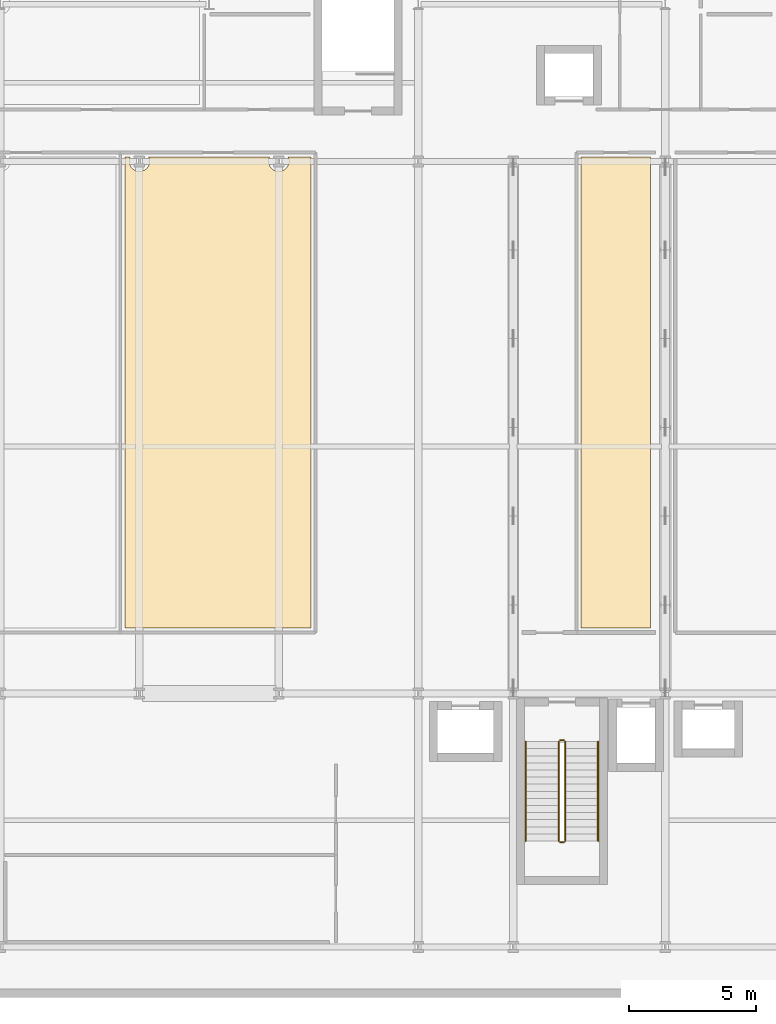
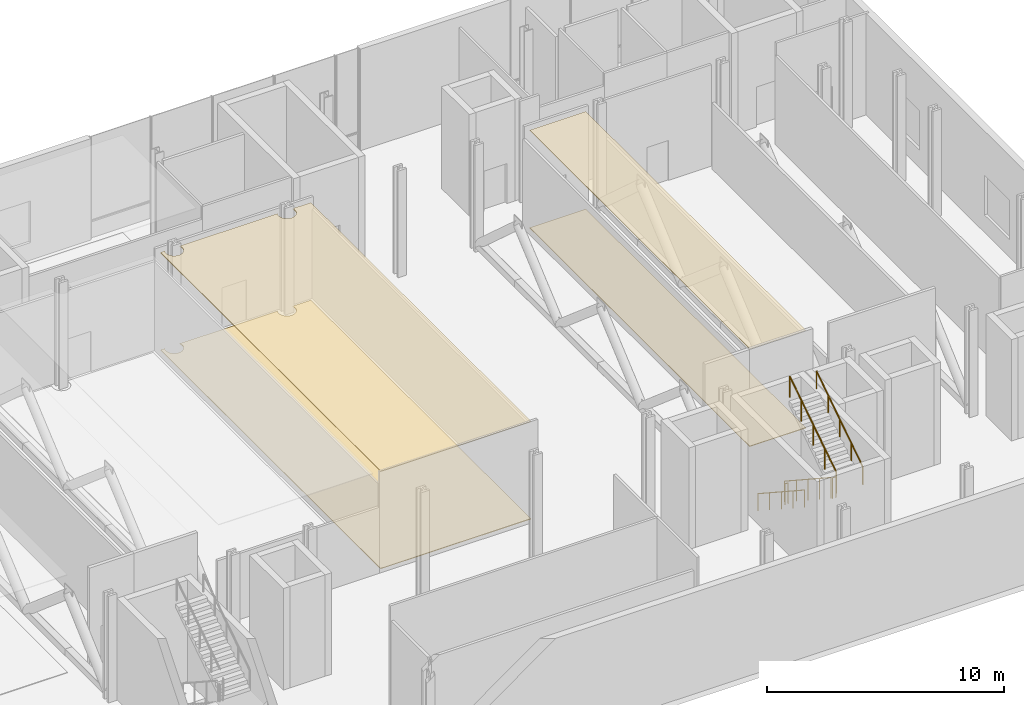
# One storey, part 16 of 17: 6 railings, 4 coverings.
"""IFC4 building model written with IfcOpenShell, lengths in metres."""

from ifc_helpers import new_model, si_unit, direction, frame, origin, origin_2d, place, context, subcontext, project, spatial, polyline, circle, outline, extrude, material, layer, layer_set, type_object, element, save


model = new_model("IFC4")

# Units and contexts
model_context = context("Model", 3, precision=1e-05, world=origin(), true_north=direction((0.0, 1.0)))
body_context = subcontext(model_context, "Body", "Model", "MODEL_VIEW")
ifc_project = project(units=[si_unit("LENGTHUNIT", "METRE"), si_unit("AREAUNIT", "SQUARE_METRE"), si_unit("VOLUMEUNIT", "CUBIC_METRE"), si_unit("PLANEANGLEUNIT", "RADIAN"), si_unit("MASSUNIT", "GRAM", prefix="KILO")], contexts=[model_context])

# Site, building, storey
site_placement = place(None, origin())
site = spatial("IfcSite", under=ifc_project, at=site_placement, CompositionType="ELEMENT")
building_placement = place(site_placement, origin())
building = spatial("IfcBuilding", under=site, at=building_placement, Name="Brevholm Reach", CompositionType="ELEMENT")
storey_placement = place(building_placement, frame((0.0, 0.0, 22.5)))
storey = spatial("IfcBuildingStorey", under=building, at=storey_placement, Name="L05", CompositionType="ELEMENT", Elevation=22.5)

# Coverings
ifc_material_1 = material(Name="Perforated Mineral-Fibre Class-A Acoustic Suspended Ceiling", Category="gypsum")
ifc_layer_1 = layer(ifc_material_1, 0.044921875)
ifc_layer_set_1 = layer_set([ifc_layer_1], Name="Perforated Mineral-Fibre Class-A Acoustic Suspended Ceiling")
covering_type_1 = type_object("IfcCoveringType", Name="COV-CLG-AC", PredefinedType="CEILING", material=ifc_layer_set_1)
covering_1_placement = place(storey_placement, frame((0.0, 0.0, 5.014892578125)))
element("IfcCovering", 1, at=covering_1_placement, inside=storey, type_object=covering_type_1, Name="L05 Suspended Ceiling L05-39", PredefinedType="CEILING", context=body_context, shape_type="SweptSolid", body=[
    extrude(outline(polyline([(34.01611328125, 12.583984375), (26.68408203125, 12.583984375), (26.68408203125, 31.166015625), (26.88671875, 31.166015625), (26.88037109375, 31.153076171875), (26.8671875, 31.1162109375), (26.857666015625, 31.077880859375), (26.851806640625, 31.039306640625), (26.85009765625, 31.0), (26.851806640625, 30.960693359375), (26.857666015625, 30.922119140625), (26.8671875, 30.8837890625), (26.88037109375, 30.846923828125), (26.897216796875, 30.811279296875), (26.91748046875, 30.77783203125), (26.94091796875, 30.74609375), (26.96728515625, 30.71728515625), (26.99609375, 30.69091796875), (27.02783203125, 30.66748046875), (27.061279296875, 30.647216796875), (27.096923828125, 30.63037109375), (27.1337890625, 30.6171875), (27.172119140625, 30.607666015625), (27.210693359375, 30.601806640625), (27.25, 30.60009765625), (27.289306640625, 30.601806640625), (27.327880859375, 30.607666015625), (27.3662109375, 30.6171875), (27.403076171875, 30.63037109375), (27.438720703125, 30.647216796875), (27.47216796875, 30.66748046875), (27.50390625, 30.69091796875), (27.53271484375, 30.71728515625), (27.55908203125, 30.74609375), (27.58251953125, 30.77783203125), (27.602783203125, 30.811279296875), (27.61962890625, 30.846923828125), (27.6328125, 30.8837890625), (27.642333984375, 30.922119140625), (27.648193359375, 30.960693359375), (27.64990234375, 31.0), (27.648193359375, 31.039306640625), (27.642333984375, 31.077880859375), (27.6328125, 31.1162109375), (27.61962890625, 31.153076171875), (27.61328125, 31.166015625), (32.38671875, 31.166015625), (32.38037109375, 31.153076171875), (32.3671875, 31.1162109375), (32.357666015625, 31.077880859375), (32.351806640625, 31.039306640625), (32.35009765625, 31.0), (32.351806640625, 30.960693359375), (32.357666015625, 30.922119140625), (32.3671875, 30.8837890625), (32.38037109375, 30.846923828125), (32.397216796875, 30.811279296875), (32.41748046875, 30.77783203125), (32.44091796875, 30.74609375), (32.46728515625, 30.71728515625), (32.49609375, 30.69091796875), (32.52783203125, 30.66748046875), (32.561279296875, 30.647216796875), (32.596923828125, 30.63037109375), (32.6337890625, 30.6171875), (32.672119140625, 30.607666015625), (32.710693359375, 30.601806640625), (32.75, 30.60009765625), (32.789306640625, 30.601806640625), (32.827880859375, 30.607666015625), (32.8662109375, 30.6171875), (32.903076171875, 30.63037109375), (32.938720703125, 30.647216796875), (32.97216796875, 30.66748046875), (33.00390625, 30.69091796875), (33.03271484375, 30.71728515625), (33.05908203125, 30.74609375), (33.08251953125, 30.77783203125), (33.102783203125, 30.811279296875), (33.11962890625, 30.846923828125), (33.1328125, 30.8837890625), (33.142333984375, 30.922119140625), (33.148193359375, 30.960693359375), (33.14990234375, 31.0), (33.148193359375, 31.039306640625), (33.142333984375, 31.077880859375), (33.1328125, 31.1162109375), (33.11962890625, 31.153076171875), (33.11328125, 31.166015625), (34.01611328125, 31.166015625), (34.01611328125, 12.583984375)])), origin(), (0.0, 0.0, 1.0), 0.045166015625),
])
ifc_material_2 = material(Name="Moisture-Resistant Skimmed Gypsum Plasterboard Ceiling", Category="gypsum")
ifc_layer_2 = layer(ifc_material_2, 0.030029296875)
ifc_layer_set_2 = layer_set([ifc_layer_2], Name="Moisture-Resistant Skimmed Gypsum Plasterboard Ceiling")
covering_type_2 = type_object("IfcCoveringType", Name="COV-CLG-GYP", PredefinedType="CEILING", material=ifc_layer_set_2)
covering_2_placement = place(storey_placement, frame((0.0, 0.0, 5.030029296875)))
element("IfcCovering", 2, at=covering_2_placement, inside=storey, type_object=covering_type_2, Name="L05 Suspended Ceiling L05-35", PredefinedType="CEILING", context=body_context, shape_type="SweptSolid", body=[
    extrude(outline(polyline([(47.419921875, 12.583984375), (44.68408203125, 12.583984375), (44.68408203125, 31.166015625), (47.419921875, 31.166015625), (47.419921875, 12.583984375)])), origin(), (0.0, 0.0, 1.0), 0.030029296875),
])
ifc_material_3 = material(Name="Honed Portland-Aggregate Resin Terrazzo Flooring", Category="concrete")
ifc_layer_3 = layer(ifc_material_3, 0.031982421875)
ifc_layer_set_3 = layer_set([ifc_layer_3], Name="Honed Portland-Aggregate Resin Terrazzo Flooring")
covering_type_3 = type_object("IfcCoveringType", Name="COV-FLR-TRZ", PredefinedType="FLOORING", material=ifc_layer_set_3)
covering_3_placement = place(storey_placement, origin())
element("IfcCovering", 3, at=covering_3_placement, inside=storey, type_object=covering_type_3, Name="L05 Floor Finish L05-35", PredefinedType="FLOORING", context=body_context, shape_type="SweptSolid", body=[
    extrude(outline(polyline([(47.419921875, 12.583984375), (44.68408203125, 12.583984375), (44.68408203125, 31.166015625), (47.419921875, 31.166015625), (47.419921875, 12.583984375)])), origin(), (0.0, 0.0, 1.0), 0.031982421875),
])
covering_4_placement = place(storey_placement, origin())
element("IfcCovering", 4, at=covering_4_placement, inside=storey, type_object=covering_type_3, Name="L05 Floor Finish L05-39", PredefinedType="FLOORING", context=body_context, shape_type="SweptSolid", body=[
    extrude(outline(polyline([(34.01611328125, 12.583984375), (26.68408203125, 12.583984375), (26.68408203125, 31.166015625), (26.88671875, 31.166015625), (26.88037109375, 31.153076171875), (26.8671875, 31.1162109375), (26.857666015625, 31.077880859375), (26.851806640625, 31.039306640625), (26.85009765625, 31.0), (26.851806640625, 30.960693359375), (26.857666015625, 30.922119140625), (26.8671875, 30.8837890625), (26.88037109375, 30.846923828125), (26.897216796875, 30.811279296875), (26.91748046875, 30.77783203125), (26.94091796875, 30.74609375), (26.96728515625, 30.71728515625), (26.99609375, 30.69091796875), (27.02783203125, 30.66748046875), (27.061279296875, 30.647216796875), (27.096923828125, 30.63037109375), (27.1337890625, 30.6171875), (27.172119140625, 30.607666015625), (27.210693359375, 30.601806640625), (27.25, 30.60009765625), (27.289306640625, 30.601806640625), (27.327880859375, 30.607666015625), (27.3662109375, 30.6171875), (27.403076171875, 30.63037109375), (27.438720703125, 30.647216796875), (27.47216796875, 30.66748046875), (27.50390625, 30.69091796875), (27.53271484375, 30.71728515625), (27.55908203125, 30.74609375), (27.58251953125, 30.77783203125), (27.602783203125, 30.811279296875), (27.61962890625, 30.846923828125), (27.6328125, 30.8837890625), (27.642333984375, 30.922119140625), (27.648193359375, 30.960693359375), (27.64990234375, 31.0), (27.648193359375, 31.039306640625), (27.642333984375, 31.077880859375), (27.6328125, 31.1162109375), (27.61962890625, 31.153076171875), (27.61328125, 31.166015625), (32.38671875, 31.166015625), (32.38037109375, 31.153076171875), (32.3671875, 31.1162109375), (32.357666015625, 31.077880859375), (32.351806640625, 31.039306640625), (32.35009765625, 31.0), (32.351806640625, 30.960693359375), (32.357666015625, 30.922119140625), (32.3671875, 30.8837890625), (32.38037109375, 30.846923828125), (32.397216796875, 30.811279296875), (32.41748046875, 30.77783203125), (32.44091796875, 30.74609375), (32.46728515625, 30.71728515625), (32.49609375, 30.69091796875), (32.52783203125, 30.66748046875), (32.561279296875, 30.647216796875), (32.596923828125, 30.63037109375), (32.6337890625, 30.6171875), (32.672119140625, 30.607666015625), (32.710693359375, 30.601806640625), (32.75, 30.60009765625), (32.789306640625, 30.601806640625), (32.827880859375, 30.607666015625), (32.8662109375, 30.6171875), (32.903076171875, 30.63037109375), (32.938720703125, 30.647216796875), (32.97216796875, 30.66748046875), (33.00390625, 30.69091796875), (33.03271484375, 30.71728515625), (33.05908203125, 30.74609375), (33.08251953125, 30.77783203125), (33.102783203125, 30.811279296875), (33.11962890625, 30.846923828125), (33.1328125, 30.8837890625), (33.142333984375, 30.922119140625), (33.148193359375, 30.960693359375), (33.14990234375, 31.0), (33.148193359375, 31.039306640625), (33.142333984375, 31.077880859375), (33.1328125, 31.1162109375), (33.11962890625, 31.153076171875), (33.11328125, 31.166015625), (34.01611328125, 31.166015625), (34.01611328125, 12.583984375)])), origin(), (0.0, 0.0, 1.0), 0.031982421875),
])

# Railings
ifc_material_4 = material(Name="Brushed Stainless Steel EN 1.4401 Continuous Handrail", Category="steel")
railing_type_1 = type_object("IfcRailingType", Name="RAL-HND-950", PredefinedType="HANDRAIL", material=ifc_material_4)
railing_1_placement = place(storey_placement, frame((42.5, 8.10009765625, 0.183349609375)))
element("IfcRailing", 5, at=railing_1_placement, inside=storey, type_object=railing_type_1, Name="L05 ST-2 stair handrail 1", PredefinedType="HANDRAIL", context=body_context, shape_type="SweptSolid", body=[
    extrude(circle(Radius=0.02392578125, at=origin_2d()), frame((0.0, 0.0, 0.8857421875), z_axis=(0.0, -0.836630751959, 0.54776727255), x_axis=(1.0, 0.0, 0.0)), (0.0, 0.0, 1.0), 4.685546875),
    extrude(circle(Radius=0.02099609375, at=origin_2d()), origin(), (0.0, 0.0, 1.0), 0.86181640625),
    extrude(circle(Radius=0.02099609375, at=origin_2d()), frame((0.0, -0.97998046875, 0.6416015625)), (0.0, 0.0, 1.0), 0.86181640625),
    extrude(circle(Radius=0.02099609375, at=origin_2d()), frame((0.0, -1.9599609375, 1.283203125)), (0.0, 0.0, 1.0), 0.86181640625),
    extrude(circle(Radius=0.02099609375, at=origin_2d()), frame((0.0, -2.940185546875, 1.925048828125)), (0.0, 0.0, 1.0), 0.86181640625),
    extrude(circle(Radius=0.02099609375, at=origin_2d()), frame((0.0, -3.920166015625, 2.566650390625)), (0.0, 0.0, 1.0), 0.86181640625),
])
railing_2_placement = place(storey_placement, frame((45.35009765625, 4.179931640625, 2.933349609375)))
element("IfcRailing", 6, at=railing_2_placement, inside=storey, type_object=railing_type_1, Name="L05 ST-2 stair handrail 2", PredefinedType="HANDRAIL", context=body_context, shape_type="SweptSolid", body=[
    extrude(circle(Radius=0.02392578125, at=origin_2d()), frame((0.0, 0.0, 0.8857421875), z_axis=(0.0, 0.836630751959, 0.54776727255), x_axis=(-1.0, 0.0, 0.0)), (0.0, 0.0, 1.0), 4.685546875),
    extrude(circle(Radius=0.02099609375, at=origin_2d()), origin(), (0.0, 0.0, 1.0), 0.86181640625),
    extrude(circle(Radius=0.02099609375, at=origin_2d()), frame((0.0, 0.97998046875, 0.6416015625)), (0.0, 0.0, 1.0), 0.86181640625),
    extrude(circle(Radius=0.02099609375, at=origin_2d()), frame((0.0, 1.9599609375, 1.283203125)), (0.0, 0.0, 1.0), 0.86181640625),
    extrude(circle(Radius=0.02099609375, at=origin_2d()), frame((0.0, 2.940185546875, 1.925048828125)), (0.0, 0.0, 1.0), 0.86181640625),
    extrude(circle(Radius=0.02099609375, at=origin_2d()), frame((0.0, 3.920166015625, 2.566650390625)), (0.0, 0.0, 1.0), 0.86181640625),
])
ifc_material_5 = material(Name="Painted Tubular Galvanised Steel S275JR Stair Guard", Category="steel")
railing_type_2 = type_object("IfcRailingType", Name="RAL-STG-1120", PredefinedType="BALUSTRADE", material=ifc_material_5)
railing_3_placement = place(storey_placement, frame((43.800048828125, 8.10009765625, 0.183349609375)))
element("IfcRailing", 7, at=railing_3_placement, inside=storey, type_object=railing_type_2, Name="L05 ST-2 stair guard 1", PredefinedType="BALUSTRADE", context=body_context, shape_type="SweptSolid", body=[
    extrude(circle(Radius=0.02392578125, at=origin_2d()), frame((0.0, 0.0, 1.076171875), z_axis=(0.0, -0.836630751959, 0.54776727255), x_axis=(1.0, 0.0, 0.0)), (0.0, 0.0, 1.0), 4.685546875),
    extrude(circle(Radius=0.02099609375, at=origin_2d()), origin(), (0.0, 0.0, 1.0), 1.052001953125),
    extrude(circle(Radius=0.02099609375, at=origin_2d()), frame((0.0, -0.97998046875, 0.6416015625)), (0.0, 0.0, 1.0), 1.052001953125),
    extrude(circle(Radius=0.02099609375, at=origin_2d()), frame((0.0, -1.9599609375, 1.283203125)), (0.0, 0.0, 1.0), 1.052001953125),
    extrude(circle(Radius=0.02099609375, at=origin_2d()), frame((0.0, -2.940185546875, 1.925048828125)), (0.0, 0.0, 1.0), 1.052001953125),
    extrude(circle(Radius=0.02099609375, at=origin_2d()), frame((0.0, -3.920166015625, 2.566650390625)), (0.0, 0.0, 1.0), 1.052001953125),
])
railing_4_placement = place(storey_placement, frame((43.85009765625, 4.1298828125, 2.75)))
element("IfcRailing", 8, at=railing_4_placement, inside=storey, type_object=railing_type_2, Name="L05 ST-2 stair guard 2", PredefinedType="BALUSTRADE", context=body_context, shape_type="SweptSolid", body=[
    extrude(circle(Radius=0.02392578125, at=origin_2d()), frame((0.0, 0.0, 1.076171875), z_axis=(1.0, 0.0, 0.0), x_axis=(0.0, 1.0, 0.0)), (0.0, 0.0, 1.0), 0.14990234375),
    extrude(circle(Radius=0.02099609375, at=origin_2d()), origin(), (0.0, 0.0, 1.0), 1.052001953125),
    extrude(circle(Radius=0.02099609375, at=origin_2d()), frame((0.14990234375, 0.0, 0.0)), (0.0, 0.0, 1.0), 1.052001953125),
])
railing_5_placement = place(storey_placement, frame((44.050048828125, 4.179931640625, 2.933349609375)))
element("IfcRailing", 9, at=railing_5_placement, inside=storey, type_object=railing_type_2, Name="L05 ST-2 stair guard 3", PredefinedType="BALUSTRADE", context=body_context, shape_type="SweptSolid", body=[
    extrude(circle(Radius=0.02392578125, at=origin_2d()), frame((0.0, 0.0, 1.076171875), z_axis=(0.0, 0.836630751959, 0.54776727255), x_axis=(-1.0, 0.0, 0.0)), (0.0, 0.0, 1.0), 4.685546875),
    extrude(circle(Radius=0.02099609375, at=origin_2d()), origin(), (0.0, 0.0, 1.0), 1.052001953125),
    extrude(circle(Radius=0.02099609375, at=origin_2d()), frame((0.0, 0.97998046875, 0.6416015625)), (0.0, 0.0, 1.0), 1.052001953125),
    extrude(circle(Radius=0.02099609375, at=origin_2d()), frame((0.0, 1.9599609375, 1.283203125)), (0.0, 0.0, 1.0), 1.052001953125),
    extrude(circle(Radius=0.02099609375, at=origin_2d()), frame((0.0, 2.940185546875, 1.925048828125)), (0.0, 0.0, 1.0), 1.052001953125),
    extrude(circle(Radius=0.02099609375, at=origin_2d()), frame((0.0, 3.920166015625, 2.566650390625)), (0.0, 0.0, 1.0), 1.052001953125),
])
railing_6_placement = place(storey_placement, frame((43.85009765625, 8.14990234375, 0.0)))
element("IfcRailing", 10, at=railing_6_placement, inside=storey, type_object=railing_type_2, Name="L05 ST-2 stair guard 4", PredefinedType="BALUSTRADE", context=body_context, shape_type="SweptSolid", body=[
    extrude(circle(Radius=0.02392578125, at=origin_2d()), frame((0.0, 0.0, 1.076171875), z_axis=(1.0, 0.0, 0.0), x_axis=(0.0, 1.0, 0.0)), (0.0, 0.0, 1.0), 0.14990234375),
    extrude(circle(Radius=0.02099609375, at=origin_2d()), origin(), (0.0, 0.0, 1.0), 1.052001953125),
    extrude(circle(Radius=0.02099609375, at=origin_2d()), frame((0.14990234375, 0.0, 0.0)), (0.0, 0.0, 1.0), 1.052001953125),
])

save(model, "model.ifc")
